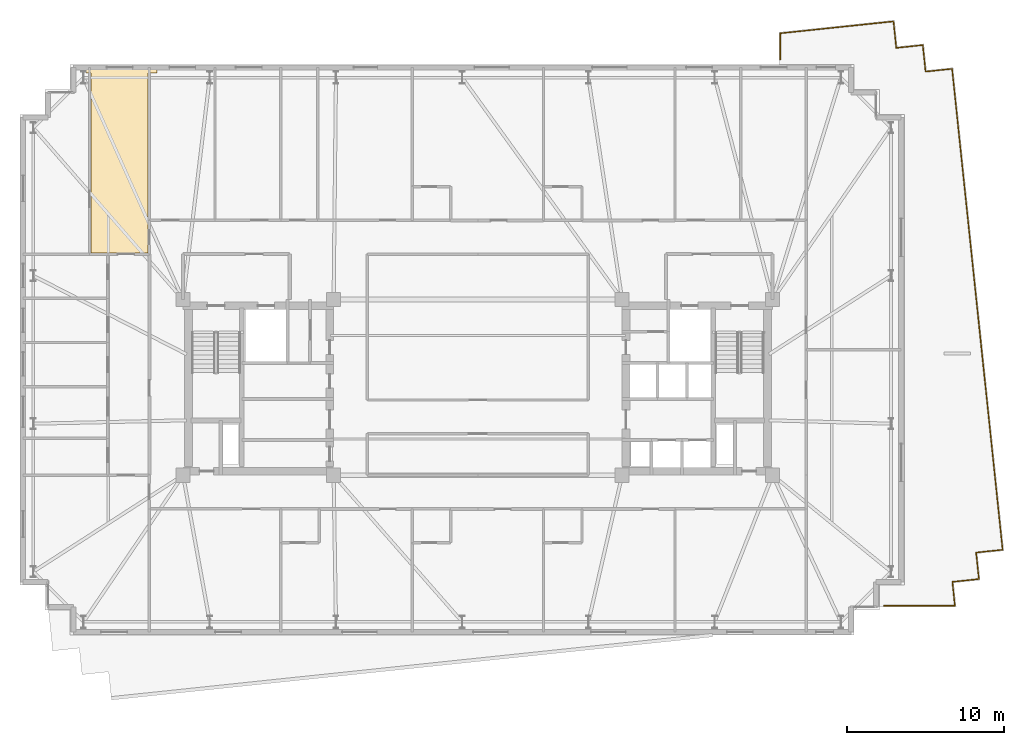
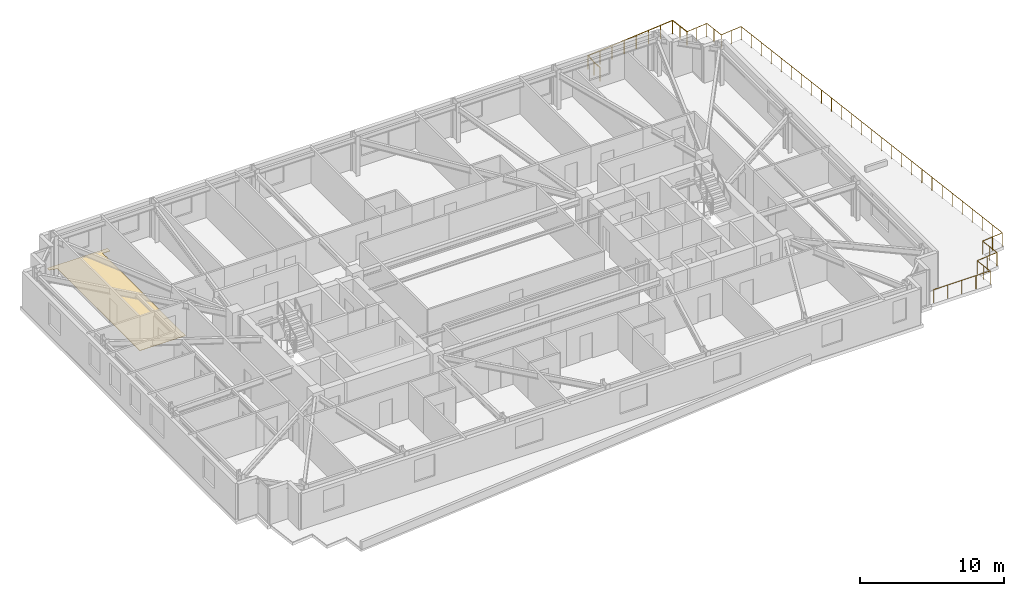
# One storey, part 19 of 19: 2 railings, 1 covering.
"""IFC4 building model written with IfcOpenShell, lengths in metres."""

from ifc_helpers import new_model, si_unit, direction, frame, origin, origin_2d, place, context, subcontext, project, spatial, polyline, circle, outline, extrude, material, layer, layer_set, type_object, element, save


model = new_model("IFC4")

# Units and contexts
model_context = context("Model", 3, precision=1e-05, world=origin(), true_north=direction((0.0, 1.0)))
body_context = subcontext(model_context, "Body", "Model", "MODEL_VIEW")
ifc_project = project(units=[si_unit("LENGTHUNIT", "METRE"), si_unit("AREAUNIT", "SQUARE_METRE"), si_unit("VOLUMEUNIT", "CUBIC_METRE"), si_unit("PLANEANGLEUNIT", "RADIAN"), si_unit("MASSUNIT", "GRAM", prefix="KILO")], contexts=[model_context])

# Site, building, storey
site_placement = place(None, origin())
site = spatial("IfcSite", under=ifc_project, at=site_placement, CompositionType="ELEMENT")
building_placement = place(site_placement, origin())
building = spatial("IfcBuilding", under=site, at=building_placement, Name="Qobustan Lattice House", CompositionType="ELEMENT")
storey_placement = place(building_placement, frame((0.0, 0.0, 131.0)))
storey = spatial("IfcBuildingStorey", under=building, at=storey_placement, Name="L36", CompositionType="ELEMENT", Elevation=131.0)

# Covering
ifc_material_1 = material(Name="Honed Absheron stone terrazzo flooring", Category="masonry")
ifc_layer = layer(ifc_material_1, 0.02490234375)
ifc_layer_set = layer_set([ifc_layer], Name="Honed Absheron stone terrazzo flooring")
covering_type = type_object("IfcCoveringType", Name="COV-TERRAZZO-FLR", PredefinedType="FLOORING", material=ifc_layer_set)
covering_placement = place(storey_placement, origin())
element("IfcCovering", 1, at=covering_placement, inside=storey, type_object=covering_type, Name="L36 Reading seminar room L36WN stone terrazzo flooring", PredefinedType="FLOORING", context=body_context, shape_type="SweptSolid", body=[
    extrude(outline(polyline([(-25.264892578125, 20.429931640625), (-25.264892578125, 20.152099609375), (-24.998046875, 20.152099609375), (-24.998046875, 20.06005859375), (-24.68505859375, 20.06005859375), (-24.68505859375, 8.580078125), (-21.030029296875, 8.580078125), (-21.030029296875, 20.06005859375), (-20.449951171875, 20.06005859375), (-20.449951171875, 20.429931640625), (-25.264892578125, 20.429931640625)])), origin(), (0.0, 0.0, 1.0), 0.02490234375),
])

# Railings
ifc_material_2 = material(Name="Anodised bronze and laminated glass balustrade", Category="glass")
railing_type = type_object("IfcRailingType", Name="RAL-TERR-1150", PredefinedType="BALUSTRADE", material=ifc_material_2)
railing_1_placement = place(storey_placement, frame((26.6826171875, 21.650634765625, 0.0)))
element("IfcRailing", 2, at=railing_1_placement, inside=storey, type_object=railing_type, Name="L36 outdoor terrace balustrade 1", PredefinedType="BALUSTRADE", context=body_context, shape_type="SweptSolid", body=[
    extrude(circle(Radius=0.02392578125, at=origin_2d()), frame((0.0, 0.0, 1.1259765625), z_axis=(0.994518038248, 0.104565154801, 0.0), x_axis=(-0.104565154801, 0.994518038248, 0.0)), (0.0, 0.0, 1.0), 1.69970703125),
    extrude(circle(Radius=0.02392578125, at=origin_2d()), frame((1.6904296875, 0.177734375, 1.1259765625), z_axis=(0.104550220202, -0.994519608382, 0.0), x_axis=(0.994519608382, 0.104550220202, 0.0)), (0.0, 0.0, 1.0), 1.699951171875),
    extrude(circle(Radius=0.02392578125, at=origin_2d()), frame((1.8681640625, -1.512939453125, 1.1259765625), z_axis=(0.994534530939, 0.104408173862, 0.0), x_axis=(-0.104408173862, 0.994534530939, 0.0)), (0.0, 0.0, 1.0), 1.699951171875),
    extrude(circle(Radius=0.02392578125, at=origin_2d()), frame((3.558837890625, -1.33544921875, 1.1259765625), z_axis=(0.104528190255, -0.994521924063, 0.0), x_axis=(0.994521924063, 0.104528190255, 0.0)), (0.0, 0.0, 1.0), 30.83984375),
    extrude(circle(Radius=0.02392578125, at=origin_2d()), frame((6.782470703125, -32.00634765625, 1.1259765625), z_axis=(-0.994519608382, -0.104550220202, 0.0), x_axis=(0.104550220202, -0.994519608382, 0.0)), (0.0, 0.0, 1.0), 1.699951171875),
    extrude(circle(Radius=0.02392578125, at=origin_2d()), frame((5.091796875, -32.18408203125, 1.1259765625), z_axis=(0.104550220202, -0.994519608382, 0.0), x_axis=(0.994519608382, 0.104550220202, 0.0)), (0.0, 0.0, 1.0), 1.699951171875),
    extrude(circle(Radius=0.02392578125, at=origin_2d()), frame((5.26953125, -33.874755859375, 1.1259765625), z_axis=(-0.994519608382, -0.104550220202, 0.0), x_axis=(0.104550220202, -0.994519608382, 0.0)), (0.0, 0.0, 1.0), 1.699951171875),
    extrude(circle(Radius=0.02392578125, at=origin_2d()), frame((3.578857421875, -34.052490234375, 1.1259765625), z_axis=(0.104443331954, -0.994530839346, 0.0), x_axis=(0.994530839346, 0.104443331954, 0.0)), (0.0, 0.0, 1.0), 1.5263671875),
    extrude(circle(Radius=0.02392578125, at=origin_2d()), frame((3.73828125, -35.570556640625, 1.1259765625), z_axis=(-1.0, 0.0, 0.0), x_axis=(0.0, -1.0, 0.0)), (0.0, 0.0, 1.0), 4.52099609375),
    extrude(circle(Radius=0.02099609375, at=origin_2d()), origin(), (0.0, 0.0, 1.0), 1.101806640625),
    extrude(circle(Radius=0.02099609375, at=origin_2d()), frame((0.84521484375, 0.0888671875, 0.0)), (0.0, 0.0, 1.0), 1.101806640625),
    extrude(circle(Radius=0.02099609375, at=origin_2d()), frame((1.6904296875, 0.177734375, 0.0)), (0.0, 0.0, 1.0), 1.101806640625),
    extrude(circle(Radius=0.02099609375, at=origin_2d()), frame((1.779296875, -0.66748046875, 0.0)), (0.0, 0.0, 1.0), 1.101806640625),
    extrude(circle(Radius=0.02099609375, at=origin_2d()), frame((1.8681640625, -1.512939453125, 0.0)), (0.0, 0.0, 1.0), 1.101806640625),
    extrude(circle(Radius=0.02099609375, at=origin_2d()), frame((2.71337890625, -1.42431640625, 0.0)), (0.0, 0.0, 1.0), 1.101806640625),
    extrude(circle(Radius=0.02099609375, at=origin_2d()), frame((3.558837890625, -1.33544921875, 0.0)), (0.0, 0.0, 1.0), 1.101806640625),
    extrude(circle(Radius=0.02099609375, at=origin_2d()), frame((3.682861328125, -2.51513671875, 0.0)), (0.0, 0.0, 1.0), 1.101806640625),
    extrude(circle(Radius=0.02099609375, at=origin_2d()), frame((3.806884765625, -3.69482421875, 0.0)), (0.0, 0.0, 1.0), 1.101806640625),
    extrude(circle(Radius=0.02099609375, at=origin_2d()), frame((3.930908203125, -4.87451171875, 0.0)), (0.0, 0.0, 1.0), 1.101806640625),
    extrude(circle(Radius=0.02099609375, at=origin_2d()), frame((4.0546875, -6.053955078125, 0.0)), (0.0, 0.0, 1.0), 1.101806640625),
    extrude(circle(Radius=0.02099609375, at=origin_2d()), frame((4.1787109375, -7.233642578125, 0.0)), (0.0, 0.0, 1.0), 1.101806640625),
    extrude(circle(Radius=0.02099609375, at=origin_2d()), frame((4.302734375, -8.413330078125, 0.0)), (0.0, 0.0, 1.0), 1.101806640625),
    extrude(circle(Radius=0.02099609375, at=origin_2d()), frame((4.4267578125, -9.593017578125, 0.0)), (0.0, 0.0, 1.0), 1.101806640625),
    extrude(circle(Radius=0.02099609375, at=origin_2d()), frame((4.55078125, -10.772705078125, 0.0)), (0.0, 0.0, 1.0), 1.101806640625),
    extrude(circle(Radius=0.02099609375, at=origin_2d()), frame((4.6748046875, -11.952392578125, 0.0)), (0.0, 0.0, 1.0), 1.101806640625),
    extrude(circle(Radius=0.02099609375, at=origin_2d()), frame((4.798583984375, -13.1318359375, 0.0)), (0.0, 0.0, 1.0), 1.101806640625),
    extrude(circle(Radius=0.02099609375, at=origin_2d()), frame((4.922607421875, -14.3115234375, 0.0)), (0.0, 0.0, 1.0), 1.101806640625),
    extrude(circle(Radius=0.02099609375, at=origin_2d()), frame((5.046630859375, -15.4912109375, 0.0)), (0.0, 0.0, 1.0), 1.101806640625),
    extrude(circle(Radius=0.02099609375, at=origin_2d()), frame((5.170654296875, -16.6708984375, 0.0)), (0.0, 0.0, 1.0), 1.101806640625),
    extrude(circle(Radius=0.02099609375, at=origin_2d()), frame((5.294677734375, -17.8505859375, 0.0)), (0.0, 0.0, 1.0), 1.101806640625),
    extrude(circle(Radius=0.02099609375, at=origin_2d()), frame((5.418701171875, -19.0302734375, 0.0)), (0.0, 0.0, 1.0), 1.101806640625),
    extrude(circle(Radius=0.02099609375, at=origin_2d()), frame((5.542724609375, -20.2099609375, 0.0)), (0.0, 0.0, 1.0), 1.101806640625),
    extrude(circle(Radius=0.02099609375, at=origin_2d()), frame((5.66650390625, -21.389404296875, 0.0)), (0.0, 0.0, 1.0), 1.101806640625),
    extrude(circle(Radius=0.02099609375, at=origin_2d()), frame((5.79052734375, -22.569091796875, 0.0)), (0.0, 0.0, 1.0), 1.101806640625),
    extrude(circle(Radius=0.02099609375, at=origin_2d()), frame((5.91455078125, -23.748779296875, 0.0)), (0.0, 0.0, 1.0), 1.101806640625),
    extrude(circle(Radius=0.02099609375, at=origin_2d()), frame((6.03857421875, -24.928466796875, 0.0)), (0.0, 0.0, 1.0), 1.101806640625),
    extrude(circle(Radius=0.02099609375, at=origin_2d()), frame((6.16259765625, -26.108154296875, 0.0)), (0.0, 0.0, 1.0), 1.101806640625),
    extrude(circle(Radius=0.02099609375, at=origin_2d()), frame((6.28662109375, -27.287841796875, 0.0)), (0.0, 0.0, 1.0), 1.101806640625),
    extrude(circle(Radius=0.02099609375, at=origin_2d()), frame((6.410400390625, -28.46728515625, 0.0)), (0.0, 0.0, 1.0), 1.101806640625),
    extrude(circle(Radius=0.02099609375, at=origin_2d()), frame((6.534423828125, -29.64697265625, 0.0)), (0.0, 0.0, 1.0), 1.101806640625),
    extrude(circle(Radius=0.02099609375, at=origin_2d()), frame((6.658447265625, -30.82666015625, 0.0)), (0.0, 0.0, 1.0), 1.101806640625),
    extrude(circle(Radius=0.02099609375, at=origin_2d()), frame((6.782470703125, -32.00634765625, 0.0)), (0.0, 0.0, 1.0), 1.101806640625),
    extrude(circle(Radius=0.02099609375, at=origin_2d()), frame((5.93701171875, -32.09521484375, 0.0)), (0.0, 0.0, 1.0), 1.101806640625),
    extrude(circle(Radius=0.02099609375, at=origin_2d()), frame((5.091796875, -32.18408203125, 0.0)), (0.0, 0.0, 1.0), 1.101806640625),
    extrude(circle(Radius=0.02099609375, at=origin_2d()), frame((5.1806640625, -33.029296875, 0.0)), (0.0, 0.0, 1.0), 1.101806640625),
    extrude(circle(Radius=0.02099609375, at=origin_2d()), frame((5.26953125, -33.874755859375, 0.0)), (0.0, 0.0, 1.0), 1.101806640625),
    extrude(circle(Radius=0.02099609375, at=origin_2d()), frame((4.42431640625, -33.963623046875, 0.0)), (0.0, 0.0, 1.0), 1.101806640625),
    extrude(circle(Radius=0.02099609375, at=origin_2d()), frame((3.578857421875, -34.052490234375, 0.0)), (0.0, 0.0, 1.0), 1.101806640625),
    extrude(circle(Radius=0.02099609375, at=origin_2d()), frame((3.65869140625, -34.8115234375, 0.0)), (0.0, 0.0, 1.0), 1.101806640625),
    extrude(circle(Radius=0.02099609375, at=origin_2d()), frame((3.73828125, -35.570556640625, 0.0)), (0.0, 0.0, 1.0), 1.101806640625),
    extrude(circle(Radius=0.02099609375, at=origin_2d()), frame((2.60791015625, -35.570556640625, 0.0)), (0.0, 0.0, 1.0), 1.101806640625),
    extrude(circle(Radius=0.02099609375, at=origin_2d()), frame((1.477783203125, -35.570556640625, 0.0)), (0.0, 0.0, 1.0), 1.101806640625),
    extrude(circle(Radius=0.02099609375, at=origin_2d()), frame((0.34765625, -35.570556640625, 0.0)), (0.0, 0.0, 1.0), 1.101806640625),
    extrude(circle(Radius=0.02099609375, at=origin_2d()), frame((-0.78271484375, -35.570556640625, 0.0)), (0.0, 0.0, 1.0), 1.101806640625),
])
railing_2_placement = place(storey_placement, frame((19.280029296875, 20.89990234375, 0.0)))
element("IfcRailing", 3, at=railing_2_placement, inside=storey, type_object=railing_type, Name="L36 outdoor terrace balustrade 2", PredefinedType="BALUSTRADE", context=body_context, shape_type="SweptSolid", body=[
    extrude(circle(Radius=0.02392578125, at=origin_2d()), frame((0.0, 0.0, 1.1259765625), z_axis=(0.0, 1.0, 0.0), x_axis=(-1.0, 0.0, 0.0)), (0.0, 0.0, 1.0), 1.681884765625),
    extrude(circle(Radius=0.02392578125, at=origin_2d()), frame((0.0, 1.681884765625, 1.1259765625), z_axis=(0.994519623015, 0.104550081006, 0.0), x_axis=(-0.104550081006, 0.994519623015, 0.0)), (0.0, 0.0, 1.0), 7.2646484375),
    extrude(circle(Radius=0.02392578125, at=origin_2d()), frame((7.224853515625, 2.44140625, 1.1259765625), z_axis=(0.104550220202, -0.994519608382, 0.0), x_axis=(0.994519608382, 0.104550220202, 0.0)), (0.0, 0.0, 1.0), 1.699951171875),
    extrude(circle(Radius=0.02099609375, at=origin_2d()), origin(), (0.0, 0.0, 1.0), 1.101806640625),
    extrude(circle(Radius=0.02099609375, at=origin_2d()), frame((0.0, 0.8408203125, 0.0)), (0.0, 0.0, 1.0), 1.101806640625),
    extrude(circle(Radius=0.02099609375, at=origin_2d()), frame((0.0, 1.681884765625, 0.0)), (0.0, 0.0, 1.0), 1.101806640625),
    extrude(circle(Radius=0.02099609375, at=origin_2d()), frame((1.0322265625, 1.790283203125, 0.0)), (0.0, 0.0, 1.0), 1.101806640625),
    extrude(circle(Radius=0.02099609375, at=origin_2d()), frame((2.064208984375, 1.89892578125, 0.0)), (0.0, 0.0, 1.0), 1.101806640625),
    extrude(circle(Radius=0.02099609375, at=origin_2d()), frame((3.096435546875, 2.00732421875, 0.0)), (0.0, 0.0, 1.0), 1.101806640625),
    extrude(circle(Radius=0.02099609375, at=origin_2d()), frame((4.12841796875, 2.115966796875, 0.0)), (0.0, 0.0, 1.0), 1.101806640625),
    extrude(circle(Radius=0.02099609375, at=origin_2d()), frame((5.16064453125, 2.224365234375, 0.0)), (0.0, 0.0, 1.0), 1.101806640625),
    extrude(circle(Radius=0.02099609375, at=origin_2d()), frame((6.192626953125, 2.3330078125, 0.0)), (0.0, 0.0, 1.0), 1.101806640625),
    extrude(circle(Radius=0.02099609375, at=origin_2d()), frame((7.224853515625, 2.44140625, 0.0)), (0.0, 0.0, 1.0), 1.101806640625),
    extrude(circle(Radius=0.02099609375, at=origin_2d()), frame((7.313720703125, 1.59619140625, 0.0)), (0.0, 0.0, 1.0), 1.101806640625),
    extrude(circle(Radius=0.02099609375, at=origin_2d()), frame((7.402587890625, 0.750732421875, 0.0)), (0.0, 0.0, 1.0), 1.101806640625),
])

save(model, "model.ifc")
